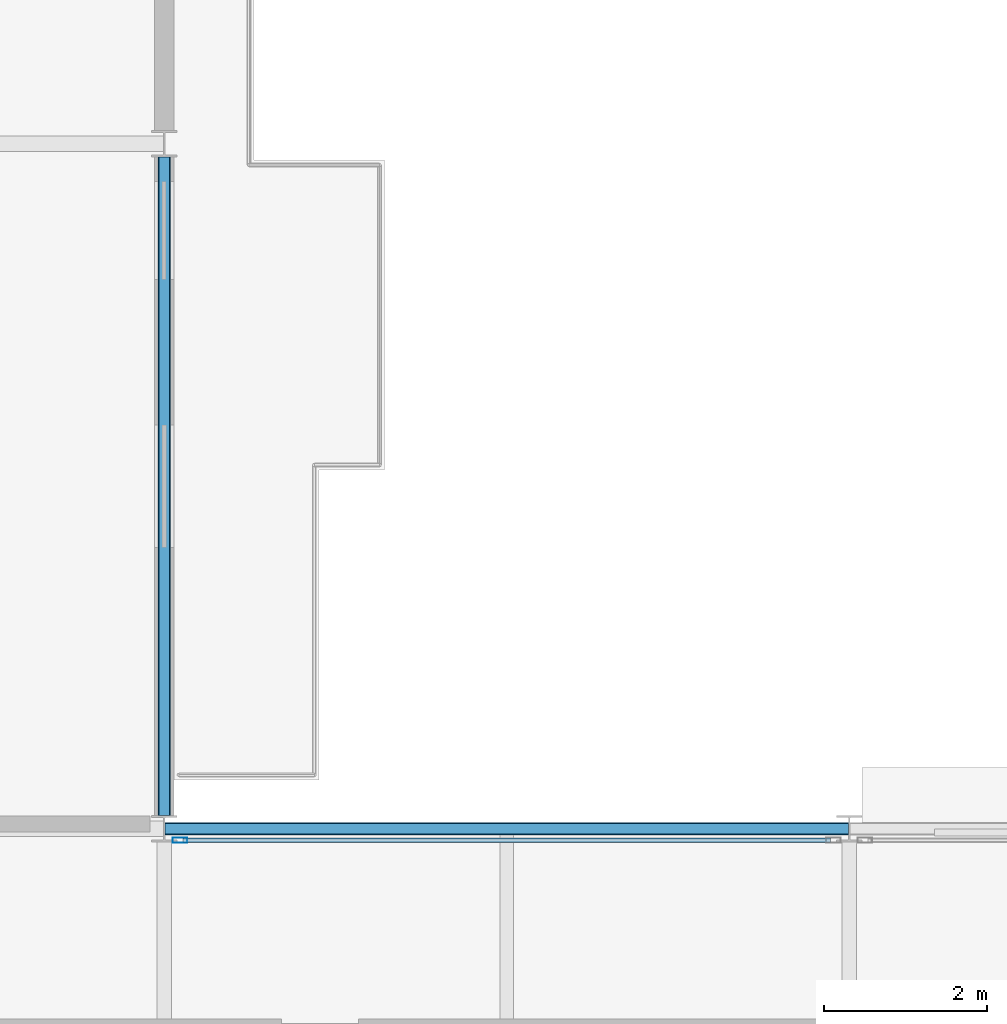
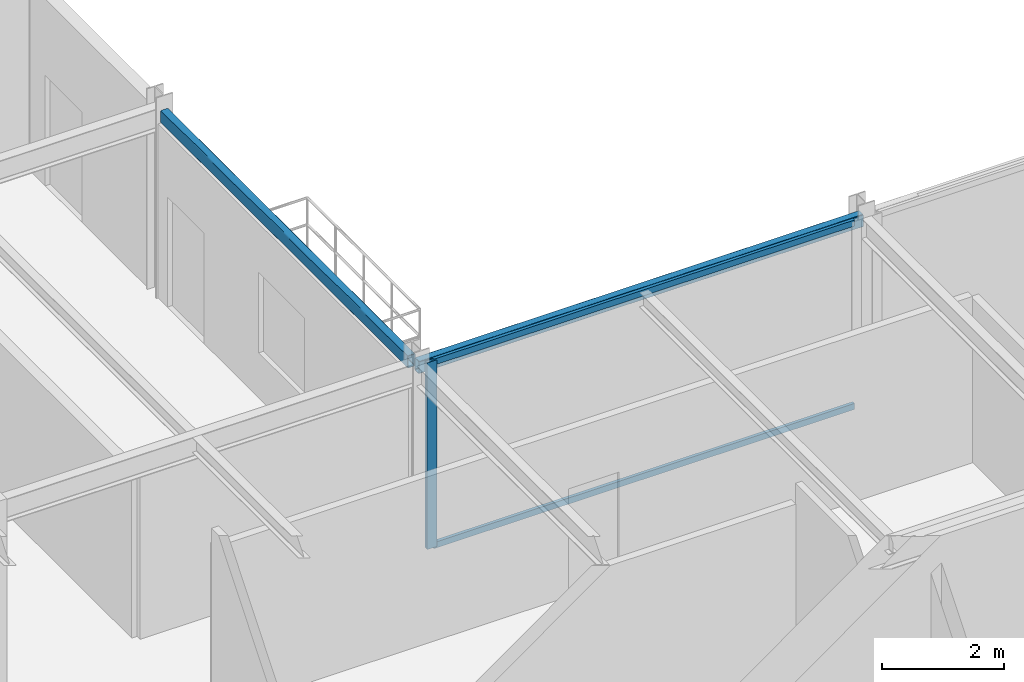
# One storey, part 13 of 27: 3 members, 2 beams, 1 element without a shape of its own.
"""IFC4 building model written with IfcOpenShell, lengths in metres."""

from ifc_helpers import new_model, si_unit, direction, frame, origin, origin_2d, place, context, subcontext, project, spatial, hollow_rectangle, extrude, material, layer, layer_set, material_profile, profile_set, type_object, element, aggregate, save


model = new_model("IFC4")

# Units and contexts
model_context = context("Model", 3, precision=1e-05, world=origin(), true_north=direction((0.0, 1.0)))
body_context = subcontext(model_context, "Body", "Model", "MODEL_VIEW")
ifc_project = project(units=[si_unit("LENGTHUNIT", "METRE"), si_unit("AREAUNIT", "SQUARE_METRE"), si_unit("VOLUMEUNIT", "CUBIC_METRE"), si_unit("PLANEANGLEUNIT", "RADIAN"), si_unit("MASSUNIT", "GRAM", prefix="KILO")], contexts=[model_context])

# Site, building, storey
site_placement = place(None, origin())
site = spatial("IfcSite", under=ifc_project, at=site_placement, CompositionType="ELEMENT")
building_placement = place(site_placement, origin())
building = spatial("IfcBuilding", under=site, at=building_placement, Name="Nerrivon Quay Data Exchange", CompositionType="ELEMENT")
storey_placement = place(building_placement, frame((0.0, 0.0, 278.199951171875)))
storey = spatial("IfcBuildingStorey", under=building, at=storey_placement, Name="L66", CompositionType="ELEMENT", Elevation=278.199951171875)

# Beams
ifc_material_1 = material(Name="Steel Grade C350L0 (350 MPa)", Category="steel")
ifc_material_profile_1 = material_profile(ifc_material_1, hollow_rectangle(XDim=0.14990234375, YDim=0.25, WallThickness=0.009033203125, InnerFilletRadius=0.013427734375, OuterFilletRadius=0.0224609375, at=origin_2d()), Name="250x150x9.0RHS")
ifc_profile_set_1 = profile_set([ifc_material_profile_1], Name="Steel Grade C350L0 (350 MPa)")
beam_type = type_object("IfcBeamType", Name="BM-SP4-250x150RHS", PredefinedType="SPANDREL", material=ifc_profile_set_1)
beam_1_placement = place(storey_placement, frame((25.2080078125, 25.199951171875, 3.60009765625), z_axis=(1.0, 0.0, 0.0), x_axis=(0.0, 1.0, 0.0)))
element("IfcBeam", 1, at=beam_1_placement, inside=storey, type_object=beam_type, Name="L66 EW Girder Y=25.2 (25.2..33.6)", PredefinedType="SPANDREL", context=body_context, shape_type="SweptSolid", body=[
    extrude(hollow_rectangle(XDim=0.14990234375, YDim=0.25, WallThickness=0.009033203125, InnerFilletRadius=0.013427734375, OuterFilletRadius=0.0224609375, at=origin_2d()), origin(), (0.0, 0.0, 1.0), 8.38427734375),
])
beam_2_placement = place(storey_placement, frame((25.199951171875, 25.363525390625, 3.60009765625), z_axis=(0.0, 1.0, 0.0), x_axis=(-1.0, 0.0, 0.0)))
element("IfcBeam", 2, at=beam_2_placement, inside=storey, type_object=beam_type, Name="L66 NS Girder X=25.2 (25.2..33.6)", PredefinedType="SPANDREL", context=body_context, shape_type="SweptSolid", body=[
    extrude(hollow_rectangle(XDim=0.14990234375, YDim=0.25, WallThickness=0.009033203125, InnerFilletRadius=0.013427734375, OuterFilletRadius=0.0224609375, at=origin_2d()), origin(), (0.0, 0.0, 1.0), 8.072998046875),
])

# Curtain wall, members
ifc_material_2 = material(Name="Anodised aluminium 6063-T6", Category="aluminium")
ifc_layer = layer(ifc_material_2, 0.195068359375)
ifc_layer_set = layer_set([ifc_layer], Name="Anodised aluminium 6063-T6")
curtain_wall_type = type_object("IfcCurtainWallType", Name="CW-SYS-06", PredefinedType="NOTDEFINED", material=ifc_layer_set)
curtain_wall_placement = place(storey_placement, origin())
curtain_wall = element("IfcCurtainWall", 3, at=curtain_wall_placement, inside=storey, type_object=curtain_wall_type, Name="L66 Unitised Curtain Wall 24", PredefinedType="NOTDEFINED")
ifc_material_profile_2 = material_profile(ifc_material_2, hollow_rectangle(XDim=0.06494140625, YDim=0.179931640625, WallThickness=0.00341796875, at=origin_2d()), Name="ALU-MULL-180x65")
ifc_profile_set_2 = profile_set([ifc_material_profile_2], Name="Anodised aluminium 6063-T6")
member_type_1 = type_object("IfcMemberType", Name="CWM-180x65", PredefinedType="MULLION", material=ifc_profile_set_2)
member_1_placement = place(storey_placement, frame((25.39306640625, 25.06005859375, 0.0), z_axis=(0.0, 0.0, 1.0), x_axis=(0.0, 1.0, 0.0)))
member_1 = element("IfcMember", 4, at=member_1_placement, type_object=member_type_1, Name="CW06 mullion 1", PredefinedType="MULLION", context=body_context, shape_type="SweptSolid", body=[
    extrude(hollow_rectangle(XDim=0.06494140625, YDim=0.179931640625, WallThickness=0.00341796875, at=origin_2d()), origin(), (0.0, 0.0, 1.0), 3.72509765625),
])
ifc_material_profile_3 = material_profile(ifc_material_2, hollow_rectangle(XDim=0.06005859375, YDim=0.1201171875, WallThickness=0.003173828125, at=origin_2d()), Name="ALU-TRAN-120x60")
ifc_profile_set_3 = profile_set([ifc_material_profile_3], Name="Anodised aluminium 6063-T6")
member_type_2 = type_object("IfcMemberType", Name="CWT-120x60", PredefinedType="USERDEFINED", material=ifc_profile_set_3)
member_2_placement = place(storey_placement, frame((25.430419921875, 25.06005859375, 0.032470703125), z_axis=(1.0, 0.0, 0.0), x_axis=(0.0, 1.0, 0.0)))
member_2 = element("IfcMember", 5, at=member_2_placement, type_object=member_type_2, Name="CW06 transom 1.1", ObjectType="TRANSOM", PredefinedType="USERDEFINED", context=body_context, shape_type="SweptSolid", body=[
    extrude(hollow_rectangle(XDim=0.06005859375, YDim=0.1201171875, WallThickness=0.003173828125, at=origin_2d()), origin(), (0.0, 0.0, 1.0), 7.93896484375),
])
member_3_placement = place(storey_placement, frame((25.430419921875, 25.06005859375, 3.692626953125), z_axis=(1.0, 0.0, 0.0), x_axis=(0.0, 1.0, 0.0)))
member_3 = element("IfcMember", 6, at=member_3_placement, type_object=member_type_2, Name="CW06 transom 1.2", ObjectType="TRANSOM", PredefinedType="USERDEFINED", context=body_context, shape_type="SweptSolid", body=[
    extrude(hollow_rectangle(XDim=0.06005859375, YDim=0.1201171875, WallThickness=0.003173828125, at=origin_2d()), origin(), (0.0, 0.0, 1.0), 7.93896484375),
])
aggregate(curtain_wall, [member_1, member_2, member_3])

save(model, "model.ifc")
